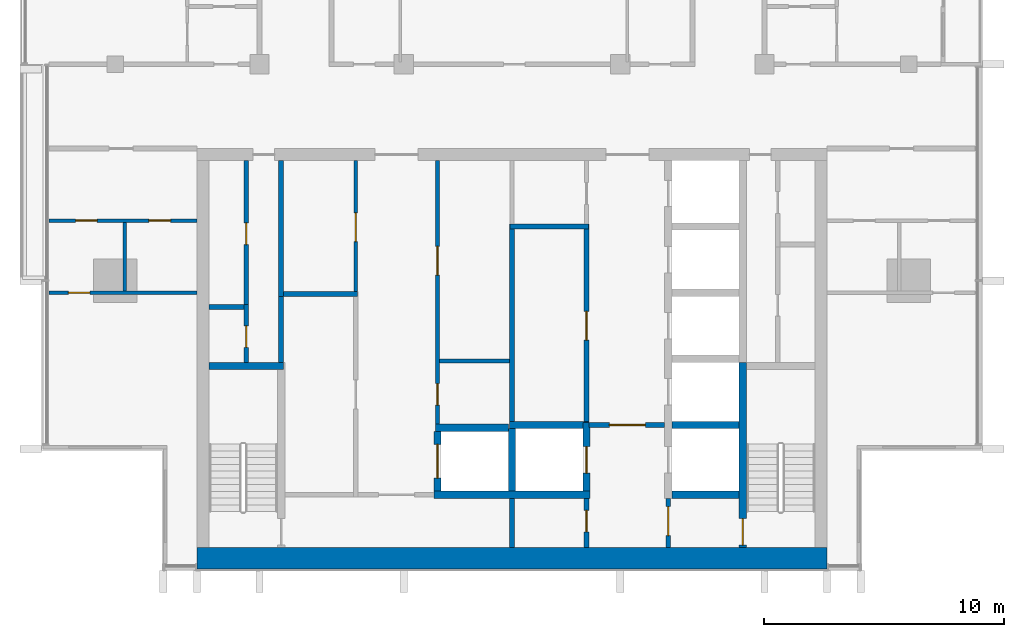
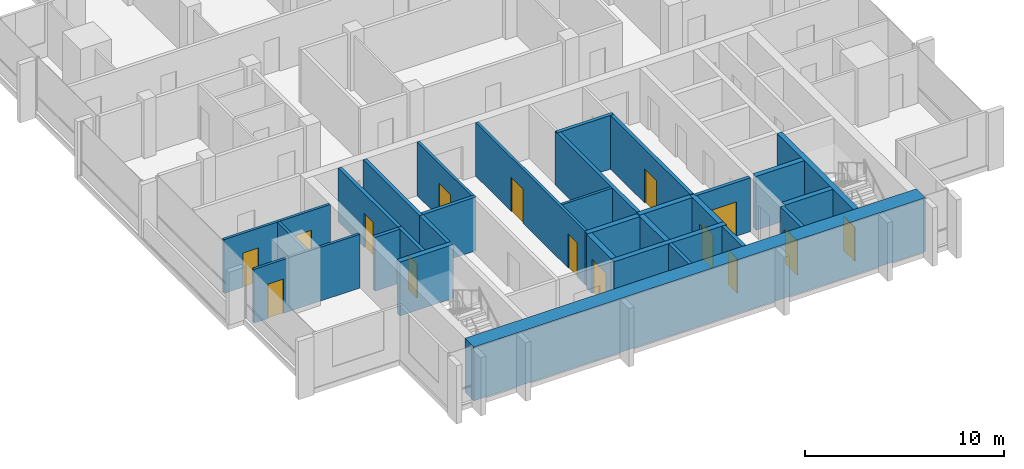
# One storey, part 7 of 15: 30 walls, 15 doors, 15 openings.
"""IFC4 building model written with IfcOpenShell, lengths in metres."""

from ifc_helpers import new_model, si_unit, direction, frame, frame_2d, origin, place, context, subcontext, project, spatial, rectangle, extrude, material, layer, layer_set, type_object, element, fill, save


model = new_model("IFC4")

# Units and contexts
model_context = context("Model", 3, precision=1e-05, world=origin(), true_north=direction((0.0, 1.0)))
body_context = subcontext(model_context, "Body", "Model", "MODEL_VIEW")
ifc_project = project(units=[si_unit("LENGTHUNIT", "METRE"), si_unit("AREAUNIT", "SQUARE_METRE"), si_unit("VOLUMEUNIT", "CUBIC_METRE"), si_unit("PLANEANGLEUNIT", "RADIAN"), si_unit("MASSUNIT", "GRAM", prefix="KILO")], contexts=[model_context])

# Site, building, storey
site_placement = place(None, origin())
site = spatial("IfcSite", under=ifc_project, at=site_placement, CompositionType="ELEMENT")
building_placement = place(site_placement, origin())
building = spatial("IfcBuilding", under=site, at=building_placement, Name="Finial Court Residences", CompositionType="ELEMENT")
storey_placement = place(building_placement, frame((0.0, 0.0, 269.89990234375)))
storey = spatial("IfcBuildingStorey", under=building, at=storey_placement, Name="L68", CompositionType="ELEMENT", Elevation=269.89990234375)

# Wall
ifc_material_1 = material(Name="Fire-rated gypsum board partition")
ifc_layer_1 = layer(ifc_material_1, 0.14990234375)
ifc_layer_set_1 = layer_set([ifc_layer_1], Name="Core room partition 150 EI 60")
wall_type_1 = type_object("IfcWallType", Name="Core room partition 150 EI 60", PredefinedType="PARTITIONING", material=ifc_layer_set_1)
wall_1_placement = place(storey_placement, frame((-3.02490234375, -16.840087890625, 0.0), z_axis=(0.0, 0.0, 1.0), x_axis=(1.0, 0.0, 0.0)))
element("IfcWall", 1, at=wall_1_placement, inside=storey, type_object=wall_type_1, Name="Core partition L68-11", PredefinedType="PARTITIONING", context=body_context, shape_type="SweptSolid", body=[
    extrude(rectangle(XDim=2.9248046875, YDim=0.14990234375, at=frame_2d((1.46240234375, 0.0))), origin(), (0.0, 0.0, 1.0), 3.300048828125),
])

# Wall, opening, door
wall_2_placement = place(storey_placement, frame((-6.5, -13.9599609375, 0.0), z_axis=(0.0, 0.0, 1.0), x_axis=(0.0, 1.0, 0.0)))
wall_2 = element("IfcWall", 2, at=wall_2_placement, inside=storey, type_object=wall_type_1, Name="Core partition L68-25", PredefinedType="PARTITIONING", context=body_context, shape_type="SweptSolid", body=[
    extrude(rectangle(XDim=5.4599609375, YDim=0.14990234375, at=frame_2d((2.72998046875, 0.0))), origin(), (0.0, 0.0, 1.0), 3.300048828125),
])
opening_1_placement = place(wall_2_placement, frame((2.080078125, 0.0, 0.0)))
opening_1 = element("IfcOpeningElement", 3, at=opening_1_placement, cuts=wall_2, Name="Opening L68-C15", PredefinedType="OPENING", context=body_context, shape_type="SweptSolid", body=[
    extrude(rectangle(XDim=1.199951171875, YDim=2.10009765625, at=frame_2d((0.60009765625, 1.050048828125))), frame((0.0, 0.0849609375, 0.0), z_axis=(0.0, -1.0, 0.0), x_axis=(1.0, 0.0, 0.0)), (0.0, 0.0, 1.0), 0.169921875),
])
ifc_material_2 = material(Name="Steel fire door", Category="steel")
door_type_1 = type_object("IfcDoorType", Name="Core room door 1200 x 2100 EI 60", OperationType="NOTDEFINED", PredefinedType="DOOR", material=ifc_material_2)
door_1_placement = place(opening_1_placement, origin())
door_1 = element("IfcDoor", 4, at=door_1_placement, inside=storey, type_object=door_type_1, Name="Core room door L68-C15", OperationType="SINGLE_SWING_RIGHT", OverallHeight=2.10009765625, OverallWidth=1.199951171875, PredefinedType="DOOR", context=body_context, shape_type="SweptSolid", body=[
    extrude(rectangle(XDim=1.199951171875, YDim=2.10009765625, at=frame_2d((0.60009765625, 1.050048828125))), frame((0.0, 0.02490234375, 0.0), z_axis=(0.0, -1.0, 0.0), x_axis=(1.0, 0.0, 0.0)), (0.0, 0.0, 1.0), 0.050048828125),
])
fill(opening_1, door_1)

# Wall, openings, doors
wall_3_placement = place(storey_placement, frame((-3.10009765625, -8.5, 0.0), z_axis=(0.0, 0.0, 1.0), x_axis=(0.0, -1.0, 0.0)))
wall_3 = element("IfcWall", 5, at=wall_3_placement, inside=storey, type_object=wall_type_1, Name="Core partition L68-27", PredefinedType="PARTITIONING", context=body_context, shape_type="SweptSolid", body=[
    extrude(rectangle(XDim=10.969970703125, YDim=0.14990234375, at=frame_2d((5.48486328125, 0.0))), origin(), (0.0, 0.0, 1.0), 3.300048828125),
])
opening_2_placement = place(wall_3_placement, frame((9.280029296875, 0.0, 0.0)))
opening_2 = element("IfcOpeningElement", 6, at=opening_2_placement, cuts=wall_3, Name="Opening L68-C16", PredefinedType="OPENING", context=body_context, shape_type="SweptSolid", body=[
    extrude(rectangle(XDim=0.89990234375, YDim=2.10009765625, at=frame_2d((0.449951171875, 1.050048828125))), frame((0.0, 0.0849609375, 0.0), z_axis=(0.0, -1.0, 0.0), x_axis=(1.0, 0.0, 0.0)), (0.0, 0.0, 1.0), 0.169921875),
])
opening_3_placement = place(wall_3_placement, frame((3.570068359375, 0.0, 0.0)))
opening_3 = element("IfcOpeningElement", 7, at=opening_3_placement, cuts=wall_3, Name="Opening L68-C17", PredefinedType="OPENING", context=body_context, shape_type="SweptSolid", body=[
    extrude(rectangle(XDim=1.199951171875, YDim=2.10009765625, at=frame_2d((0.60009765625, 1.050048828125))), frame((0.0, 0.0849609375, 0.0), z_axis=(0.0, -1.0, 0.0), x_axis=(1.0, 0.0, 0.0)), (0.0, 0.0, 1.0), 0.169921875),
])
door_2_placement = place(opening_3_placement, origin())
door_2 = element("IfcDoor", 8, at=door_2_placement, inside=storey, type_object=door_type_1, Name="Core room door L68-C17", OperationType="SINGLE_SWING_RIGHT", OverallHeight=2.10009765625, OverallWidth=1.199951171875, PredefinedType="DOOR", context=body_context, shape_type="SweptSolid", body=[
    extrude(rectangle(XDim=1.199951171875, YDim=2.10009765625, at=frame_2d((0.60009765625, 1.050048828125))), frame((0.0, 0.02490234375, 0.0), z_axis=(0.0, -1.0, 0.0), x_axis=(1.0, 0.0, 0.0)), (0.0, 0.0, 1.0), 0.050048828125),
])
fill(opening_3, door_2)
door_type_2 = type_object("IfcDoorType", Name="Core room door 900 x 2100 EI 60", OperationType="NOTDEFINED", PredefinedType="DOOR", material=ifc_material_2)
door_3_placement = place(opening_2_placement, origin())
door_3 = element("IfcDoor", 9, at=door_3_placement, inside=storey, type_object=door_type_2, Name="Core room door L68-C16", OperationType="SINGLE_SWING_RIGHT", OverallHeight=2.10009765625, OverallWidth=0.89990234375, PredefinedType="DOOR", context=body_context, shape_type="SweptSolid", body=[
    extrude(rectangle(XDim=0.89990234375, YDim=2.10009765625, at=frame_2d((0.449951171875, 1.050048828125))), frame((0.0, 0.02490234375, 0.0), z_axis=(0.0, -1.0, 0.0), x_axis=(1.0, 0.0, 0.0)), (0.0, 0.0, 1.0), 0.050048828125),
])
fill(opening_2, door_3)

# Wall
ifc_material_3 = material(Name="Concrete C50/60", Category="concrete")
ifc_layer_2 = layer(ifc_material_3, 0.89990234375)
ifc_layer_set_2 = layer_set([ifc_layer_2], Name="Core south facade wall 900 Concrete C50/60")
wall_type_2 = type_object("IfcWallType", Name="Core south facade wall 900 Concrete C50/60", PredefinedType="SHEAR", material=ifc_layer_set_2)
wall_4_placement = place(storey_placement, frame((-13.10009765625, -25.050048828125, 0.0), z_axis=(0.0, 0.0, 1.0), x_axis=(1.0, 0.0, 0.0)))
element("IfcWall", 10, at=wall_4_placement, inside=storey, type_object=wall_type_2, Name="Core outer wall L68-01", PredefinedType="SHEAR", context=body_context, shape_type="SweptSolid", body=[
    extrude(rectangle(XDim=26.2001953125, YDim=0.89990234375, at=frame_2d((13.10009765625, 0.0))), origin(), (0.0, 0.0, 1.0), 3.300048828125),
])

# Wall, opening, door
ifc_layer_3 = layer(ifc_material_1, 0.199951171875)
ifc_layer_set_3 = layer_set([ifc_layer_3], Name="Firefighting lobby wall 200 EI 120")
wall_type_3 = type_object("IfcWallType", Name="Firefighting lobby wall 200 EI 120", PredefinedType="PARTITIONING", material=ifc_layer_set_3)
wall_5_placement = place(storey_placement, frame((6.35009765625, -19.5, 0.0), z_axis=(0.0, 0.0, 1.0), x_axis=(-1.0, 0.0, 0.0)))
wall_5 = element("IfcWall", 11, at=wall_5_placement, inside=storey, type_object=wall_type_3, Name="Core partition L68-07", PredefinedType="PARTITIONING", context=body_context, shape_type="SweptSolid", body=[
    extrude(rectangle(XDim=3.150146484375, YDim=0.199951171875, at=frame_2d((1.5751953125, 0.0))), origin(), (0.0, 0.0, 1.0), 3.300048828125),
])
opening_4_placement = place(wall_5_placement, frame((0.800048828125, 0.0, 0.0)))
opening_4 = element("IfcOpeningElement", 12, at=opening_4_placement, cuts=wall_5, Name="Opening L68-C02", PredefinedType="OPENING", context=body_context, shape_type="SweptSolid", body=[
    extrude(rectangle(XDim=1.5, YDim=2.10009765625, at=frame_2d((0.75, 1.050048828125))), frame((0.0, 0.10986328125, 0.0), z_axis=(0.0, -1.0, 0.0), x_axis=(1.0, 0.0, 0.0)), (0.0, 0.0, 1.0), 0.219970703125),
])
door_type_3 = type_object("IfcDoorType", Name="Firefighting lobby door 1500 x 2100 EI 90", OperationType="DOUBLE_DOOR_SINGLE_SWING", PredefinedType="DOOR", material=ifc_material_2)
door_4_placement = place(opening_4_placement, origin())
door_4 = element("IfcDoor", 13, at=door_4_placement, inside=storey, type_object=door_type_3, Name="Firefighting lobby door L68-C02", OperationType="DOUBLE_DOOR_SINGLE_SWING", OverallHeight=2.10009765625, OverallWidth=1.5, PredefinedType="DOOR", context=body_context, shape_type="SweptSolid", body=[
    extrude(rectangle(XDim=1.5, YDim=2.10009765625, at=frame_2d((0.75, 1.050048828125))), frame((0.0, 0.02490234375, 0.0), z_axis=(0.0, -1.0, 0.0), x_axis=(1.0, 0.0, 0.0)), (0.0, 0.0, 1.0), 0.050048828125),
])
fill(opening_4, door_4)

wall_6_placement = place(storey_placement, frame((3.10009765625, -24.60009765625, 0.0), z_axis=(0.0, 0.0, 1.0), x_axis=(0.0, 1.0, 0.0)))
wall_6 = element("IfcWall", 14, at=wall_6_placement, inside=storey, type_object=wall_type_3, Name="Core partition L68-32", PredefinedType="PARTITIONING", context=body_context, shape_type="SweptSolid", body=[
    extrude(rectangle(XDim=2.050048828125, YDim=0.199951171875, at=frame_2d((1.02490234375, 0.0))), origin(), (0.0, 0.0, 1.0), 3.300048828125),
])
opening_5_placement = place(wall_6_placement, frame((0.64990234375, 0.0, 0.0)))
opening_5 = element("IfcOpeningElement", 15, at=opening_5_placement, cuts=wall_6, Name="Opening L68-C06", PredefinedType="OPENING", context=body_context, shape_type="SweptSolid", body=[
    extrude(rectangle(XDim=0.89990234375, YDim=2.10009765625, at=frame_2d((0.449951171875, 1.050048828125))), frame((0.0, 0.10986328125, 0.0), z_axis=(0.0, -1.0, 0.0), x_axis=(1.0, 0.0, 0.0)), (0.0, 0.0, 1.0), 0.219970703125),
])
door_type_4 = type_object("IfcDoorType", Name="Riser room door 900 x 2100 EI 90", OperationType="NOTDEFINED", PredefinedType="DOOR", material=ifc_material_2)
door_5_placement = place(opening_5_placement, origin())
door_5 = element("IfcDoor", 16, at=door_5_placement, inside=storey, type_object=door_type_4, Name="Riser room door L68-C06", OperationType="SINGLE_SWING_LEFT", OverallHeight=2.10009765625, OverallWidth=0.89990234375, PredefinedType="DOOR", context=body_context, shape_type="SweptSolid", body=[
    extrude(rectangle(XDim=0.89990234375, YDim=2.10009765625, at=frame_2d((0.449951171875, 1.050048828125))), frame((0.0, 0.02490234375, 0.0), z_axis=(0.0, -1.0, 0.0), x_axis=(1.0, 0.0, 0.0)), (0.0, 0.0, 1.0), 0.050048828125),
])
fill(opening_5, door_5)

wall_7_placement = place(storey_placement, frame((6.5, -22.550048828125, 0.0), z_axis=(0.0, 0.0, 1.0), x_axis=(0.0, -1.0, 0.0)))
wall_7 = element("IfcWall", 17, at=wall_7_placement, inside=storey, type_object=wall_type_3, Name="Core partition L68-36", PredefinedType="PARTITIONING", context=body_context, shape_type="SweptSolid", body=[
    extrude(rectangle(XDim=2.050048828125, YDim=0.199951171875, at=frame_2d((1.02490234375, 0.0))), origin(), (0.0, 0.0, 1.0), 3.300048828125),
])
opening_6_placement = place(wall_7_placement, frame((0.35009765625, 0.0, 0.0)))
opening_6 = element("IfcOpeningElement", 18, at=opening_6_placement, cuts=wall_7, Name="Opening L68-C01", PredefinedType="OPENING", context=body_context, shape_type="SweptSolid", body=[
    extrude(rectangle(XDim=1.199951171875, YDim=2.10009765625, at=frame_2d((0.60009765625, 1.050048828125))), frame((0.0, 0.10986328125, 0.0), z_axis=(0.0, -1.0, 0.0), x_axis=(1.0, 0.0, 0.0)), (0.0, 0.0, 1.0), 0.219970703125),
])
door_type_5 = type_object("IfcDoorType", Name="Firefighting lobby door 1200 x 2100 EI 90", OperationType="NOTDEFINED", PredefinedType="DOOR", material=ifc_material_2)
door_6_placement = place(opening_6_placement, origin())
door_6 = element("IfcDoor", 19, at=door_6_placement, inside=storey, type_object=door_type_5, Name="Firefighting lobby door L68-C01", OperationType="SINGLE_SWING_RIGHT", OverallHeight=2.10009765625, OverallWidth=1.199951171875, PredefinedType="DOOR", context=body_context, shape_type="SweptSolid", body=[
    extrude(rectangle(XDim=1.199951171875, YDim=2.10009765625, at=frame_2d((0.60009765625, 1.050048828125))), frame((0.0, 0.02490234375, 0.0), z_axis=(0.0, -1.0, 0.0), x_axis=(1.0, 0.0, 0.0)), (0.0, 0.0, 1.0), 0.050048828125),
])
fill(opening_6, door_6)

ifc_material_4 = material(Name="Moisture-resistant gypsum board")
ifc_layer_4 = layer(ifc_material_4, 0.012451171875)
ifc_material_5 = material(Name="Mineral wool in light-gauge frame")
ifc_layer_5 = layer(ifc_material_5, 0.125)
ifc_layer_6 = layer(ifc_material_4, 0.012451171875)
ifc_layer_set_4 = layer_set([ifc_layer_4, ifc_layer_5, ifc_layer_6], Name="Gypsum board wet-area partition 150")
wall_type_4 = type_object("IfcWallType", Name="Gypsum board wet-area partition 150", PredefinedType="PARTITIONING", material=ifc_layer_set_4)
wall_8_placement = place(storey_placement, frame((-19.262451171875, -14.0, 0.0), z_axis=(0.0, 0.0, 1.0), x_axis=(1.0, 0.0, 0.0)))
wall_8 = element("IfcWall", 20, at=wall_8_placement, inside=storey, type_object=wall_type_4, Name="Partition L68-000", PredefinedType="PARTITIONING", context=body_context, shape_type="SweptSolid", body=[
    extrude(rectangle(XDim=6.162353515625, YDim=0.14990234375, at=frame_2d((3.0810546875, 0.0))), origin(), (0.0, 0.0, 1.0), 3.300048828125),
])
opening_7_placement = place(wall_8_placement, frame((0.81201171875, 0.0, 0.0)))
opening_7 = element("IfcOpeningElement", 21, at=opening_7_placement, cuts=wall_8, Name="Opening L68-D001", PredefinedType="OPENING", context=body_context, shape_type="SweptSolid", body=[
    extrude(rectangle(XDim=0.89990234375, YDim=2.10009765625, at=frame_2d((0.449951171875, 1.050048828125))), frame((0.0, 0.0849609375, 0.0), z_axis=(0.0, -1.0, 0.0), x_axis=(1.0, 0.0, 0.0)), (0.0, 0.0, 1.0), 0.169921875),
])
ifc_material_6 = material(Name="Timber door leaf in timber frame", Category="wood")
door_type_6 = type_object("IfcDoorType", Name="Door set 900 x 2100", OperationType="SINGLE_SWING_LEFT", PredefinedType="DOOR", material=ifc_material_6)
door_7_placement = place(opening_7_placement, origin())
door_7 = element("IfcDoor", 22, at=door_7_placement, inside=storey, type_object=door_type_6, Name="Door L68-D001", OperationType="SINGLE_SWING_LEFT", OverallHeight=2.10009765625, OverallWidth=0.89990234375, PredefinedType="DOOR", context=body_context, shape_type="SweptSolid", body=[
    extrude(rectangle(XDim=0.89990234375, YDim=2.10009765625, at=frame_2d((0.449951171875, 1.050048828125))), frame((0.0, 0.02490234375, 0.0), z_axis=(0.0, -1.0, 0.0), x_axis=(1.0, 0.0, 0.0)), (0.0, 0.0, 1.0), 0.050048828125),
])
fill(opening_7, door_7)

# Wall, openings, doors
wall_9_placement = place(storey_placement, frame((-19.262451171875, -11.0, 0.0), z_axis=(0.0, 0.0, 1.0), x_axis=(1.0, 0.0, 0.0)))
wall_9 = element("IfcWall", 23, at=wall_9_placement, inside=storey, type_object=wall_type_4, Name="Partition L68-002", PredefinedType="PARTITIONING", context=body_context, shape_type="SweptSolid", body=[
    extrude(rectangle(XDim=6.162353515625, YDim=0.14990234375, at=frame_2d((3.0810546875, 0.0))), origin(), (0.0, 0.0, 1.0), 3.300048828125),
])
opening_8_placement = place(wall_9_placement, frame((1.113037109375, 0.0, 0.0)))
opening_8 = element("IfcOpeningElement", 24, at=opening_8_placement, cuts=wall_9, Name="Opening L68-D003", PredefinedType="OPENING", context=body_context, shape_type="SweptSolid", body=[
    extrude(rectangle(XDim=0.89990234375, YDim=2.10009765625, at=frame_2d((0.449951171875, 1.050048828125))), frame((0.0, 0.0849609375, 0.0), z_axis=(0.0, -1.0, 0.0), x_axis=(1.0, 0.0, 0.0)), (0.0, 0.0, 1.0), 0.169921875),
])
opening_9_placement = place(wall_9_placement, frame((4.162109375, 0.0, 0.0)))
opening_9 = element("IfcOpeningElement", 25, at=opening_9_placement, cuts=wall_9, Name="Opening L68-D004", PredefinedType="OPENING", context=body_context, shape_type="SweptSolid", body=[
    extrude(rectangle(XDim=0.89990234375, YDim=2.10009765625, at=frame_2d((0.449951171875, 1.050048828125))), frame((0.0, 0.0849609375, 0.0), z_axis=(0.0, -1.0, 0.0), x_axis=(1.0, 0.0, 0.0)), (0.0, 0.0, 1.0), 0.169921875),
])
door_8_placement = place(opening_8_placement, origin())
door_8 = element("IfcDoor", 26, at=door_8_placement, inside=storey, type_object=door_type_6, Name="Door L68-D003", OperationType="SINGLE_SWING_LEFT", OverallHeight=2.10009765625, OverallWidth=0.89990234375, PredefinedType="DOOR", context=body_context, shape_type="SweptSolid", body=[
    extrude(rectangle(XDim=0.89990234375, YDim=2.10009765625, at=frame_2d((0.449951171875, 1.050048828125))), frame((0.0, 0.02490234375, 0.0), z_axis=(0.0, -1.0, 0.0), x_axis=(1.0, 0.0, 0.0)), (0.0, 0.0, 1.0), 0.050048828125),
])
fill(opening_8, door_8)
door_9_placement = place(opening_9_placement, origin())
door_9 = element("IfcDoor", 27, at=door_9_placement, inside=storey, type_object=door_type_6, Name="Door L68-D004", OperationType="SINGLE_SWING_RIGHT", OverallHeight=2.10009765625, OverallWidth=0.89990234375, PredefinedType="DOOR", context=body_context, shape_type="SweptSolid", body=[
    extrude(rectangle(XDim=0.89990234375, YDim=2.10009765625, at=frame_2d((0.449951171875, 1.050048828125))), frame((0.0, 0.02490234375, 0.0), z_axis=(0.0, -1.0, 0.0), x_axis=(1.0, 0.0, 0.0)), (0.0, 0.0, 1.0), 0.050048828125),
])
fill(opening_9, door_9)

# Walls
wall_10_placement = place(storey_placement, frame((-16.10009765625, -13.925048828125, 0.0), z_axis=(0.0, 0.0, 1.0), x_axis=(0.0, 1.0, 0.0)))
element("IfcWall", 28, at=wall_10_placement, inside=storey, type_object=wall_type_4, Name="Partition L68-018", PredefinedType="PARTITIONING", context=body_context, shape_type="SweptSolid", body=[
    extrude(rectangle(XDim=2.85009765625, YDim=0.14990234375, at=frame_2d((1.425048828125, 0.0))), origin(), (0.0, 0.0, 1.0), 3.300048828125),
])
ifc_layer_7 = layer(ifc_material_3, 0.300048828125)
ifc_layer_set_5 = layer_set([ifc_layer_7], Name="Lift shaft and stair wall 300 Concrete C50/60")
wall_type_5 = type_object("IfcWallType", Name="Lift shaft and stair wall 300 Concrete C50/60", PredefinedType="SHEAR", material=ifc_layer_set_5)
wall_11_placement = place(storey_placement, frame((-3.25, -22.39990234375, 0.0), z_axis=(0.0, 0.0, 1.0), x_axis=(1.0, 0.0, 0.0)))
element("IfcWall", 29, at=wall_11_placement, inside=storey, type_object=wall_type_5, Name="Core wall L68-03", PredefinedType="SHEAR", context=body_context, shape_type="SweptSolid", body=[
    extrude(rectangle(XDim=6.5, YDim=0.300048828125, at=frame_2d((3.25, 0.0))), origin(), (0.0, 0.0, 1.0), 3.300048828125),
])
wall_12_placement = place(storey_placement, frame((6.64990234375, -22.39990234375, 0.0), z_axis=(0.0, 0.0, 1.0), x_axis=(1.0, 0.0, 0.0)))
element("IfcWall", 30, at=wall_12_placement, inside=storey, type_object=wall_type_5, Name="Core wall L68-04", PredefinedType="SHEAR", context=body_context, shape_type="SweptSolid", body=[
    extrude(rectangle(XDim=2.800048828125, YDim=0.300048828125, at=frame_2d((1.39990234375, 0.0))), origin(), (0.0, 0.0, 1.0), 3.300048828125),
])
wall_13_placement = place(storey_placement, frame((-3.175048828125, -19.6201171875, 0.0), z_axis=(0.0, 0.0, 1.0), x_axis=(1.0, 0.0, 0.0)))
element("IfcWall", 31, at=wall_13_placement, inside=storey, type_object=wall_type_5, Name="Core wall L68-05", PredefinedType="SHEAR", context=body_context, shape_type="SweptSolid", body=[
    extrude(rectangle(XDim=3.025146484375, YDim=0.300048828125, at=frame_2d((1.5126953125, 0.0))), origin(), (0.0, 0.0, 1.0), 3.300048828125),
])
wall_14_placement = place(storey_placement, frame((-0.10009765625, -19.5, 0.0), z_axis=(0.0, 0.0, 1.0), x_axis=(1.0, 0.0, 0.0)))
element("IfcWall", 32, at=wall_14_placement, inside=storey, type_object=wall_type_5, Name="Core wall L68-06", PredefinedType="SHEAR", context=body_context, shape_type="SweptSolid", body=[
    extrude(rectangle(XDim=3.300048828125, YDim=0.300048828125, at=frame_2d((1.64990234375, 0.0))), origin(), (0.0, 0.0, 1.0), 3.300048828125),
])
wall_15_placement = place(storey_placement, frame((6.64990234375, -19.5, 0.0), z_axis=(0.0, 0.0, 1.0), x_axis=(1.0, 0.0, 0.0)))
element("IfcWall", 33, at=wall_15_placement, inside=storey, type_object=wall_type_5, Name="Core wall L68-08", PredefinedType="SHEAR", context=body_context, shape_type="SweptSolid", body=[
    extrude(rectangle(XDim=2.800048828125, YDim=0.300048828125, at=frame_2d((1.39990234375, 0.0))), origin(), (0.0, 0.0, 1.0), 3.300048828125),
])
wall_16_placement = place(storey_placement, frame((-12.60009765625, -17.050048828125, 0.0), z_axis=(0.0, 0.0, 1.0), x_axis=(1.0, 0.0, 0.0)))
element("IfcWall", 34, at=wall_16_placement, inside=storey, type_object=wall_type_5, Name="Core wall L68-09", PredefinedType="SHEAR", context=body_context, shape_type="SweptSolid", body=[
    extrude(rectangle(XDim=3.10009765625, YDim=0.300048828125, at=frame_2d((1.550048828125, 0.0))), origin(), (0.0, 0.0, 1.0), 3.300048828125),
])

# Wall, opening, door
wall_17_placement = place(storey_placement, frame((-3.10009765625, -22.25, 0.0), z_axis=(0.0, 0.0, 1.0), x_axis=(0.0, 1.0, 0.0)))
wall_17 = element("IfcWall", 35, at=wall_17_placement, inside=storey, type_object=wall_type_5, Name="Core wall L68-26", PredefinedType="SHEAR", context=body_context, shape_type="SweptSolid", body=[
    extrude(rectangle(XDim=2.47998046875, YDim=0.300048828125, at=frame_2d((1.239990234375, 0.0))), origin(), (0.0, 0.0, 1.0), 3.300048828125),
])
opening_10_placement = place(wall_17_placement, frame((0.5400390625, 0.0, 0.0)))
opening_10 = element("IfcOpeningElement", 36, at=opening_10_placement, cuts=wall_17, Name="Opening L68-LD07", PredefinedType="OPENING", context=body_context, shape_type="SweptSolid", body=[
    extrude(rectangle(XDim=1.39990234375, YDim=2.10009765625, at=frame_2d((0.699951171875, 1.050048828125))), frame((0.0, 0.159912109375, 0.0), z_axis=(0.0, -1.0, 0.0), x_axis=(1.0, 0.0, 0.0)), (0.0, 0.0, 1.0), 0.320068359375),
])
ifc_material_7 = material(Name="Stainless steel lift door", Category="steel")
door_type_7 = type_object("IfcDoorType", Name="Lift landing door 1400 x 2100 EI 90", OperationType="DOUBLE_DOOR_SLIDING", PredefinedType="DOOR", material=ifc_material_7)
door_10_placement = place(opening_10_placement, origin())
door_10 = element("IfcDoor", 37, at=door_10_placement, inside=storey, type_object=door_type_7, Name="Lift landing door SV1 L68", OperationType="DOUBLE_DOOR_SLIDING", OverallHeight=2.10009765625, OverallWidth=1.39990234375, PredefinedType="DOOR", context=body_context, shape_type="SweptSolid", body=[
    extrude(rectangle(XDim=1.39990234375, YDim=2.10009765625, at=frame_2d((0.699951171875, 1.050048828125))), frame((0.0, 0.02490234375, 0.0), z_axis=(0.0, -1.0, 0.0), x_axis=(1.0, 0.0, 0.0)), (0.0, 0.0, 1.0), 0.050048828125),
])
fill(opening_10, door_10)

# Wall
wall_18_placement = place(storey_placement, frame((0.0, -22.25, 0.0), z_axis=(0.0, 0.0, 1.0), x_axis=(0.0, 1.0, 0.0)))
element("IfcWall", 38, at=wall_18_placement, inside=storey, type_object=wall_type_5, Name="Core wall L68-29", PredefinedType="SHEAR", context=body_context, shape_type="SweptSolid", body=[
    extrude(rectangle(XDim=2.60009765625, YDim=0.300048828125, at=frame_2d((1.300048828125, 0.0))), origin(), (0.0, 0.0, 1.0), 3.300048828125),
])

# Wall, opening, door
wall_19_placement = place(storey_placement, frame((3.10009765625, -22.25, 0.0), z_axis=(0.0, 0.0, 1.0), x_axis=(0.0, 1.0, 0.0)))
wall_19 = element("IfcWall", 39, at=wall_19_placement, inside=storey, type_object=wall_type_5, Name="Core wall L68-33", PredefinedType="SHEAR", context=body_context, shape_type="SweptSolid", body=[
    extrude(rectangle(XDim=2.85009765625, YDim=0.300048828125, at=frame_2d((1.425048828125, 0.0))), origin(), (0.0, 0.0, 1.0), 3.300048828125),
])
opening_11_placement = place(wall_19_placement, frame((0.75, 0.0, 0.0)))
opening_11 = element("IfcOpeningElement", 40, at=opening_11_placement, cuts=wall_19, Name="Opening L68-LD01", PredefinedType="OPENING", context=body_context, shape_type="SweptSolid", body=[
    extrude(rectangle(XDim=1.10009765625, YDim=2.10009765625, at=frame_2d((0.550048828125, 1.050048828125))), frame((0.0, 0.159912109375, 0.0), z_axis=(0.0, -1.0, 0.0), x_axis=(1.0, 0.0, 0.0)), (0.0, 0.0, 1.0), 0.320068359375),
])
door_type_8 = type_object("IfcDoorType", Name="Lift landing door 1100 x 2100 EI 90", OperationType="DOUBLE_DOOR_SLIDING", PredefinedType="DOOR", material=ifc_material_7)
door_11_placement = place(opening_11_placement, origin())
door_11 = element("IfcDoor", 41, at=door_11_placement, inside=storey, type_object=door_type_8, Name="Lift landing door FF1 L68", OperationType="DOUBLE_DOOR_SLIDING", OverallHeight=2.10009765625, OverallWidth=1.10009765625, PredefinedType="DOOR", context=body_context, shape_type="SweptSolid", body=[
    extrude(rectangle(XDim=1.10009765625, YDim=2.10009765625, at=frame_2d((0.550048828125, 1.050048828125))), frame((0.0, 0.02490234375, 0.0), z_axis=(0.0, -1.0, 0.0), x_axis=(1.0, 0.0, 0.0)), (0.0, 0.0, 1.0), 0.050048828125),
])
fill(opening_11, door_11)

wall_20_placement = place(storey_placement, frame((9.60009765625, -16.89990234375, 0.0), z_axis=(0.0, 0.0, 1.0), x_axis=(0.0, -1.0, 0.0)))
wall_20 = element("IfcWall", 42, at=wall_20_placement, inside=storey, type_object=wall_type_5, Name="Core wall L68-38", PredefinedType="SHEAR", context=body_context, shape_type="SweptSolid", body=[
    extrude(rectangle(XDim=7.7001953125, YDim=0.300048828125, at=frame_2d((3.85009765625, 0.0))), origin(), (0.0, 0.0, 1.0), 3.300048828125),
])
opening_12_placement = place(wall_20_placement, frame((6.5, 0.0, 0.0)))
opening_12 = element("IfcOpeningElement", 43, at=opening_12_placement, cuts=wall_20, Name="Opening L68-C20", PredefinedType="OPENING", context=body_context, shape_type="SweptSolid", body=[
    extrude(rectangle(XDim=1.10009765625, YDim=2.10009765625, at=frame_2d((0.550048828125, 1.050048828125))), frame((0.0, 0.159912109375, 0.0), z_axis=(0.0, -1.0, 0.0), x_axis=(1.0, 0.0, 0.0)), (0.0, 0.0, 1.0), 0.320068359375),
])
door_type_9 = type_object("IfcDoorType", Name="Stair door 1100 x 2100 EI 90", OperationType="NOTDEFINED", PredefinedType="DOOR", material=ifc_material_2)
door_12_placement = place(opening_12_placement, origin())
door_12 = element("IfcDoor", 44, at=door_12_placement, inside=storey, type_object=door_type_9, Name="Stair door L68-C20", OperationType="SINGLE_SWING_RIGHT", OverallHeight=2.10009765625, OverallWidth=1.10009765625, PredefinedType="DOOR", context=body_context, shape_type="SweptSolid", body=[
    extrude(rectangle(XDim=1.10009765625, YDim=2.10009765625, at=frame_2d((0.550048828125, 1.050048828125))), frame((0.0, 0.02490234375, 0.0), z_axis=(0.0, -1.0, 0.0), x_axis=(1.0, 0.0, 0.0)), (0.0, 0.0, 1.0), 0.050048828125),
])
fill(opening_12, door_12)

# Walls
ifc_layer_8 = layer(ifc_material_1, 0.199951171875)
ifc_layer_set_6 = layer_set([ifc_layer_8], Name="Riser room wall 200 EI 120")
wall_type_6 = type_object("IfcWallType", Name="Riser room wall 200 EI 120", PredefinedType="PARTITIONING", material=ifc_layer_set_6)
wall_21_placement = place(storey_placement, frame((-12.60009765625, -14.60009765625, 0.0), z_axis=(0.0, 0.0, 1.0), x_axis=(1.0, 0.0, 0.0)))
element("IfcWall", 45, at=wall_21_placement, inside=storey, type_object=wall_type_6, Name="Core partition L68-13", PredefinedType="PARTITIONING", context=body_context, shape_type="SweptSolid", body=[
    extrude(rectangle(XDim=1.4501953125, YDim=0.199951171875, at=frame_2d((0.72509765625, 0.0))), origin(), (0.0, 0.0, 1.0), 3.300048828125),
])
wall_22_placement = place(storey_placement, frame((-9.5, -14.06005859375, 0.0), z_axis=(0.0, 0.0, 1.0), x_axis=(1.0, 0.0, 0.0)))
element("IfcWall", 46, at=wall_22_placement, inside=storey, type_object=wall_type_6, Name="Core partition L68-14", PredefinedType="PARTITIONING", context=body_context, shape_type="SweptSolid", body=[
    extrude(rectangle(XDim=3.074951171875, YDim=0.199951171875, at=frame_2d((1.53759765625, 0.0))), origin(), (0.0, 0.0, 1.0), 3.300048828125),
])
wall_23_placement = place(storey_placement, frame((-0.074951171875, -11.25, 0.0), z_axis=(0.0, 0.0, 1.0), x_axis=(1.0, 0.0, 0.0)))
element("IfcWall", 47, at=wall_23_placement, inside=storey, type_object=wall_type_6, Name="Core partition L68-17", PredefinedType="PARTITIONING", context=body_context, shape_type="SweptSolid", body=[
    extrude(rectangle(XDim=3.25, YDim=0.199951171875, at=frame_2d((1.625, 0.0))), origin(), (0.0, 0.0, 1.0), 3.300048828125),
])

# Wall, opening, door
wall_24_placement = place(storey_placement, frame((-11.050048828125, -14.699951171875, 0.0), z_axis=(0.0, 0.0, 1.0), x_axis=(0.0, 1.0, 0.0)))
wall_24 = element("IfcWall", 48, at=wall_24_placement, inside=storey, type_object=wall_type_6, Name="Core partition L68-20", PredefinedType="PARTITIONING", context=body_context, shape_type="SweptSolid", body=[
    extrude(rectangle(XDim=6.199951171875, YDim=0.199951171875, at=frame_2d((3.10009765625, 0.0))), origin(), (0.0, 0.0, 1.0), 3.300048828125),
])
opening_13_placement = place(wall_24_placement, frame((2.699951171875, 0.0, 0.0)))
opening_13 = element("IfcOpeningElement", 49, at=opening_13_placement, cuts=wall_24, Name="Opening L68-C07", PredefinedType="OPENING", context=body_context, shape_type="SweptSolid", body=[
    extrude(rectangle(XDim=0.89990234375, YDim=2.10009765625, at=frame_2d((0.449951171875, 1.050048828125))), frame((0.0, 0.10986328125, 0.0), z_axis=(0.0, -1.0, 0.0), x_axis=(1.0, 0.0, 0.0)), (0.0, 0.0, 1.0), 0.219970703125),
])
door_13_placement = place(opening_13_placement, origin())
door_13 = element("IfcDoor", 50, at=door_13_placement, inside=storey, type_object=door_type_4, Name="Riser room door L68-C07", OperationType="SINGLE_SWING_LEFT", OverallHeight=2.10009765625, OverallWidth=0.89990234375, PredefinedType="DOOR", context=body_context, shape_type="SweptSolid", body=[
    extrude(rectangle(XDim=0.89990234375, YDim=2.10009765625, at=frame_2d((0.449951171875, 1.050048828125))), frame((0.0, 0.02490234375, 0.0), z_axis=(0.0, -1.0, 0.0), x_axis=(1.0, 0.0, 0.0)), (0.0, 0.0, 1.0), 0.050048828125),
])
fill(opening_13, door_13)

# Walls
wall_25_placement = place(storey_placement, frame((-9.60009765625, -16.89990234375, 0.0), z_axis=(0.0, 0.0, 1.0), x_axis=(0.0, 1.0, 0.0)))
element("IfcWall", 51, at=wall_25_placement, inside=storey, type_object=wall_type_6, Name="Core partition L68-22", PredefinedType="PARTITIONING", context=body_context, shape_type="SweptSolid", body=[
    extrude(rectangle(XDim=2.739990234375, YDim=0.199951171875, at=frame_2d((1.3701171875, 0.0))), origin(), (0.0, 0.0, 1.0), 3.300048828125),
])
wall_26_placement = place(storey_placement, frame((0.0, -24.60009765625, 0.0), z_axis=(0.0, 0.0, 1.0), x_axis=(0.0, 1.0, 0.0)))
element("IfcWall", 52, at=wall_26_placement, inside=storey, type_object=wall_type_6, Name="Core partition L68-28", PredefinedType="PARTITIONING", context=body_context, shape_type="SweptSolid", body=[
    extrude(rectangle(XDim=2.050048828125, YDim=0.199951171875, at=frame_2d((1.02490234375, 0.0))), origin(), (0.0, 0.0, 1.0), 3.300048828125),
])
wall_27_placement = place(storey_placement, frame((0.0, -19.35009765625, 0.0), z_axis=(0.0, 0.0, 1.0), x_axis=(0.0, 1.0, 0.0)))
element("IfcWall", 53, at=wall_27_placement, inside=storey, type_object=wall_type_6, Name="Core partition L68-30", PredefinedType="PARTITIONING", context=body_context, shape_type="SweptSolid", body=[
    extrude(rectangle(XDim=8.2001953125, YDim=0.199951171875, at=frame_2d((4.10009765625, 0.0))), origin(), (0.0, 0.0, 1.0), 3.300048828125),
])

# Wall, opening, door
wall_28_placement = place(storey_placement, frame((3.10009765625, -19.60009765625, 0.0), z_axis=(0.0, 0.0, 1.0), x_axis=(0.0, 1.0, 0.0)))
wall_28 = element("IfcWall", 54, at=wall_28_placement, inside=storey, type_object=wall_type_6, Name="Core partition L68-34", PredefinedType="PARTITIONING", context=body_context, shape_type="SweptSolid", body=[
    extrude(rectangle(XDim=8.4501953125, YDim=0.199951171875, at=frame_2d((4.22509765625, 0.0))), origin(), (0.0, 0.0, 1.0), 3.300048828125),
])
opening_14_placement = place(wall_28_placement, frame((3.625, 0.0, 0.0)))
opening_14 = element("IfcOpeningElement", 55, at=opening_14_placement, cuts=wall_28, Name="Opening L68-C10", PredefinedType="OPENING", context=body_context, shape_type="SweptSolid", body=[
    extrude(rectangle(XDim=1.199951171875, YDim=2.10009765625, at=frame_2d((0.60009765625, 1.050048828125))), frame((0.0, 0.10986328125, 0.0), z_axis=(0.0, -1.0, 0.0), x_axis=(1.0, 0.0, 0.0)), (0.0, 0.0, 1.0), 0.219970703125),
])
door_type_10 = type_object("IfcDoorType", Name="Riser room door 1200 x 2100 EI 90", OperationType="NOTDEFINED", PredefinedType="DOOR", material=ifc_material_2)
door_14_placement = place(opening_14_placement, origin())
door_14 = element("IfcDoor", 56, at=door_14_placement, inside=storey, type_object=door_type_10, Name="Riser room door L68-C10", OperationType="SINGLE_SWING_LEFT", OverallHeight=2.10009765625, OverallWidth=1.199951171875, PredefinedType="DOOR", context=body_context, shape_type="SweptSolid", body=[
    extrude(rectangle(XDim=1.199951171875, YDim=2.10009765625, at=frame_2d((0.60009765625, 1.050048828125))), frame((0.0, 0.02490234375, 0.0), z_axis=(0.0, -1.0, 0.0), x_axis=(1.0, 0.0, 0.0)), (0.0, 0.0, 1.0), 0.050048828125),
])
fill(opening_14, door_14)

ifc_layer_9 = layer(ifc_material_1, 0.199951171875)
ifc_layer_set_7 = layer_set([ifc_layer_9], Name="Stair passage wall 200 EI 180")
wall_type_7 = type_object("IfcWallType", Name="Stair passage wall 200 EI 180", PredefinedType="PARTITIONING", material=ifc_layer_set_7)
wall_29_placement = place(storey_placement, frame((-11.050048828125, -16.89990234375, 0.0), z_axis=(0.0, 0.0, 1.0), x_axis=(0.0, 1.0, 0.0)))
wall_29 = element("IfcWall", 57, at=wall_29_placement, inside=storey, type_object=wall_type_7, Name="Core partition L68-19", PredefinedType="PARTITIONING", context=body_context, shape_type="SweptSolid", body=[
    extrude(rectangle(XDim=2.39990234375, YDim=0.199951171875, at=frame_2d((1.199951171875, 0.0))), origin(), (0.0, 0.0, 1.0), 3.300048828125),
])
opening_15_placement = place(wall_29_placement, frame((0.625, 0.0, 0.0)))
opening_15 = element("IfcOpeningElement", 58, at=opening_15_placement, cuts=wall_29, Name="Opening L68-C13", PredefinedType="OPENING", context=body_context, shape_type="SweptSolid", body=[
    extrude(rectangle(XDim=0.89990234375, YDim=2.10009765625, at=frame_2d((0.449951171875, 1.050048828125))), frame((0.0, 0.10986328125, 0.0), z_axis=(0.0, -1.0, 0.0), x_axis=(1.0, 0.0, 0.0)), (0.0, 0.0, 1.0), 0.219970703125),
])
door_15_placement = place(opening_15_placement, origin())
door_15 = element("IfcDoor", 59, at=door_15_placement, inside=storey, type_object=door_type_2, Name="Core room door L68-C13", OperationType="SINGLE_SWING_RIGHT", OverallHeight=2.10009765625, OverallWidth=0.89990234375, PredefinedType="DOOR", context=body_context, shape_type="SweptSolid", body=[
    extrude(rectangle(XDim=0.89990234375, YDim=2.10009765625, at=frame_2d((0.449951171875, 1.050048828125))), frame((0.0, 0.02490234375, 0.0), z_axis=(0.0, -1.0, 0.0), x_axis=(1.0, 0.0, 0.0)), (0.0, 0.0, 1.0), 0.050048828125),
])
fill(opening_15, door_15)

# Wall
wall_30_placement = place(storey_placement, frame((-9.60009765625, -14.159912109375, 0.0), z_axis=(0.0, 0.0, 1.0), x_axis=(0.0, 1.0, 0.0)))
element("IfcWall", 60, at=wall_30_placement, inside=storey, type_object=wall_type_7, Name="Core partition L68-23", PredefinedType="PARTITIONING", context=body_context, shape_type="SweptSolid", body=[
    extrude(rectangle(XDim=5.659912109375, YDim=0.199951171875, at=frame_2d((2.830078125, 0.0))), origin(), (0.0, 0.0, 1.0), 3.300048828125),
])

save(model, "model.ifc")
